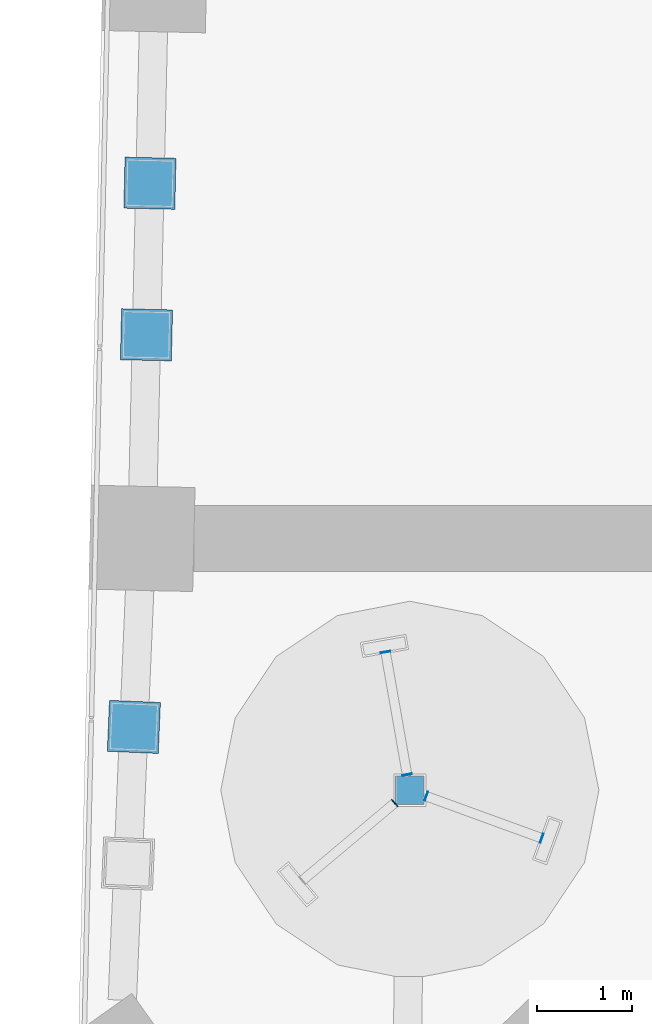
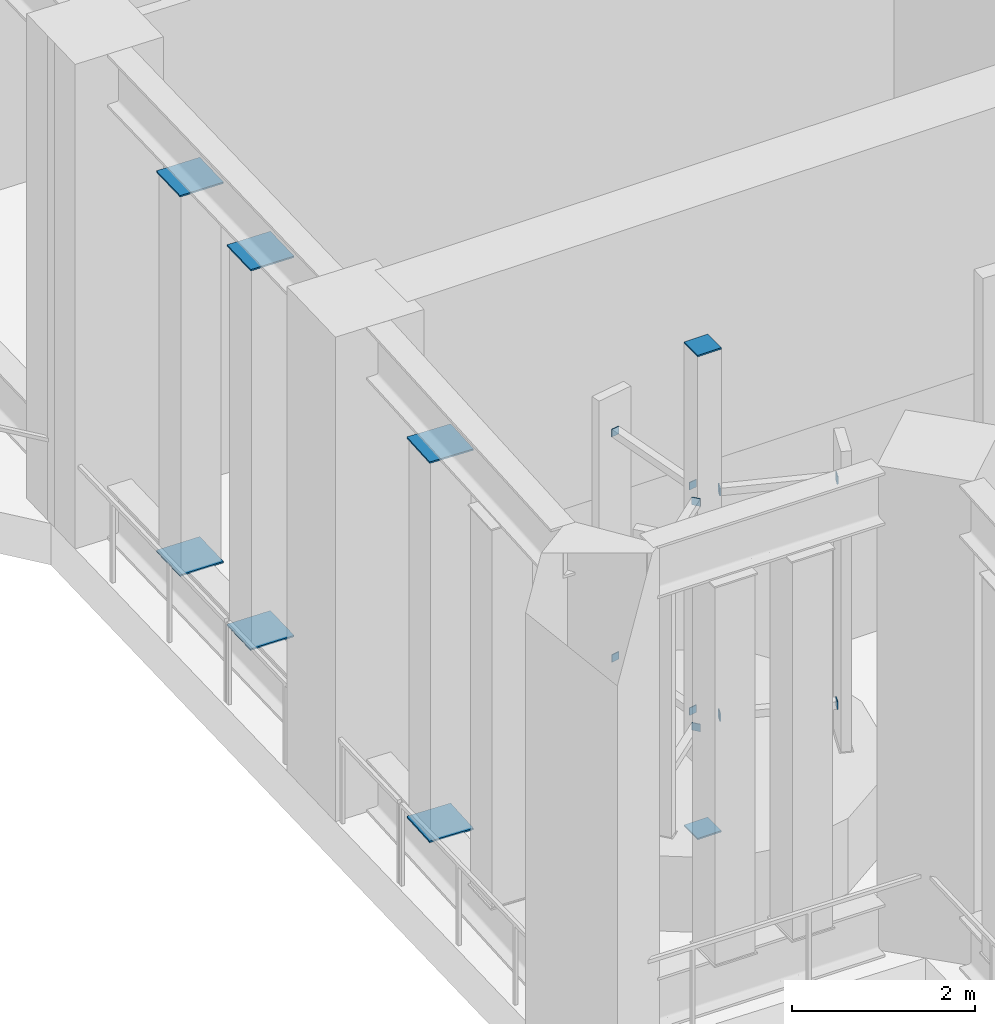
# One storey, part 13 of 33: 18 discrete accessories.
"""IFC4 building model written with IfcOpenShell, lengths in metres."""

from ifc_helpers import new_model, si_unit, direction, frame, origin, origin_2d, place, context, subcontext, project, spatial, rectangle, extrude, material, layer, layer_set, type_object, element, save


model = new_model("IFC4")

# Units and contexts
model_context = context("Model", 3, precision=1e-05, world=origin(), true_north=direction((0.0, 1.0)))
body_context = subcontext(model_context, "Body", "Model", "MODEL_VIEW")
ifc_project = project(units=[si_unit("LENGTHUNIT", "METRE"), si_unit("AREAUNIT", "SQUARE_METRE"), si_unit("VOLUMEUNIT", "CUBIC_METRE"), si_unit("PLANEANGLEUNIT", "RADIAN"), si_unit("MASSUNIT", "GRAM", prefix="KILO")], contexts=[model_context])

# Site, building, storey
site_placement = place(None, origin())
site = spatial("IfcSite", under=ifc_project, at=site_placement, CompositionType="ELEMENT")
building_placement = place(site_placement, origin())
building = spatial("IfcBuilding", under=site, at=building_placement, Name="Mangrove Gate Tower", CompositionType="ELEMENT")
storey_placement = place(building_placement, frame((0.0, 0.0, 219.5)))
storey = spatial("IfcBuildingStorey", under=building, at=storey_placement, Name="L56", CompositionType="ELEMENT", Elevation=219.5)

# Discrete accessories
ifc_material_1 = material(Name="Steel S355J2H", Category="steel")
ifc_layer_1 = layer(ifc_material_1, 0.010009765625)
ifc_layer_set_1 = layer_set([ifc_layer_1], Name="Arm end plate 100x100x10")
discrete_accessory_type_1 = type_object("IfcDiscreteAccessoryType", Name="Arm end plate 100x100x10", PredefinedType="ANCHORPLATE", material=ifc_layer_set_1)
for number, where, z_axis, x_axis, name in (
    (1, (-24.39892578125, -13.06005859375, 1.449951171875), (0.0, 0.0, 1.0), (-0.173648177667, 0.984807753012, 0.0), "END PLATE ARM L56 12.1.1 MAST"),
    (2, (-24.6279296875, -11.761962890625, 1.449951171875), (0.0, 0.0, 1.0), (-0.173648177667, 0.984807753012, 0.0), "END PLATE ARM L56 12.1.1 FIN"),
    (3, (-24.39892578125, -13.06005859375, 4.449951171875), (0.0, 0.0, 1.0), (-0.173648177667, 0.984807753012, 0.0), "END PLATE ARM L56 12.1.2 MAST"),
    (4, (-24.6279296875, -11.761962890625, 4.449951171875), (0.0, 0.0, 1.0), (-0.173648177667, 0.984807753012, 0.0), "END PLATE ARM L56 12.1.2 FIN"),
    (5, (-24.531005859375, -13.35888671875, 1.449951171875), (0.0, 0.0, 1.0), (-0.766044443119, -0.642787609687, 0.0), "END PLATE ARM L56 12.2.1 MAST"),
    (6, (-24.531005859375, -13.35888671875, 4.449951171875), (0.0, 0.0, 1.0), (-0.766044443119, -0.642787609687, 0.0), "END PLATE ARM L56 12.2.2 MAST"),
    (7, (-24.197021484375, -13.287109375, 1.449951171875), (0.0, 0.0, 1.0), (0.939692620786, -0.342020143326, 0.0), "END PLATE ARM L56 12.3.1 MAST"),
    (8, (-22.97509765625, -13.73193359375, 1.449951171875), (0.0, 0.0, 1.0), (0.939692620786, -0.342020143326, 0.0), "END PLATE ARM L56 12.3.1 FIN"),
    (9, (-24.197021484375, -13.287109375, 4.449951171875), (0.0, 0.0, 1.0), (0.939692620786, -0.342020143326, 0.0), "END PLATE ARM L56 12.3.2 MAST"),
    (10, (-22.97509765625, -13.73193359375, 4.449951171875), (0.0, 0.0, 1.0), (0.939692620786, -0.342020143326, 0.0), "END PLATE ARM L56 12.3.2 FIN"),
):
    element("IfcDiscreteAccessory", number, at=place(storey_placement, frame(where, z_axis=z_axis, x_axis=x_axis)), inside=storey, type_object=discrete_accessory_type_1, Name=name, PredefinedType="ANCHORPLATE", context=body_context, shape_type="SweptSolid", body=[
        extrude(rectangle(XDim=0.010009765625, YDim=0.10009765625, at=origin_2d()), origin(), (0.0, 0.0, 1.0), 0.10009765625),
    ])
ifc_material_2 = material(Name="Steel S355J2H", Category="steel")
ifc_layer_2 = layer(ifc_material_2, 0.02001953125)
ifc_layer_set_2 = layer_set([ifc_layer_2], Name="Belt truss end plate 540x540x20")
discrete_accessory_type_2 = type_object("IfcDiscreteAccessoryType", Name="Belt truss end plate 540x540x20", PredefinedType="ANCHORPLATE", material=ifc_layer_set_2)
for number, where, z_axis, x_axis, name in (
    (11, (-27.119873046875, -6.802734375, 0.68994140625), (0.0, 0.0, 1.0), (-0.022667633873, -0.999743056177, 0.0), "Belt truss end plate L56 00-1 bottom"),
    (12, (-27.119873046875, -6.802734375, 5.739990234375), (0.0, 0.0, 1.0), (-0.022667633873, -0.999743056177, 0.0), "Belt truss end plate L56 00-1 top"),
    (13, (-27.15625, -8.40625, 0.68994140625), (0.0, 0.0, 1.0), (-0.022667633873, -0.999743056177, 0.0), "Belt truss end plate L56 00-2 bottom"),
    (14, (-27.15625, -8.40625, 5.739990234375), (0.0, 0.0, 1.0), (-0.022667633873, -0.999743056177, 0.0), "Belt truss end plate L56 00-2 top"),
    (15, (-27.28955078125, -12.55419921875, 0.68994140625), (0.0, 0.0, 1.0), (-0.042301101829, -0.999104907797, 0.0), "Belt truss end plate L56 01-1 bottom"),
    (16, (-27.28955078125, -12.55419921875, 5.739990234375), (0.0, 0.0, 1.0), (-0.042301101829, -0.999104907797, 0.0), "Belt truss end plate L56 01-1 top"),
):
    element("IfcDiscreteAccessory", number, at=place(storey_placement, frame(where, z_axis=z_axis, x_axis=x_axis)), inside=storey, type_object=discrete_accessory_type_2, Name=name, PredefinedType="ANCHORPLATE", context=body_context, shape_type="SweptSolid", body=[
        extrude(rectangle(XDim=0.5400390625, YDim=0.5400390625, at=origin_2d()), origin(), (0.0, 0.0, 1.0), 0.02001953125),
    ])
ifc_material_3 = material(Name="Steel S355J2H", Category="steel")
ifc_layer_3 = layer(ifc_material_3, 0.02001953125)
ifc_layer_set_3 = layer_set([ifc_layer_3], Name="Mast end plate 300x300x20")
discrete_accessory_type_3 = type_object("IfcDiscreteAccessoryType", Name="Mast end plate 300x300x20", PredefinedType="ANCHORPLATE", material=ifc_layer_set_3)
for number, where, z_axis, x_axis, name in (
    (17, (-24.3701171875, -13.22412109375, 0.0), (0.0, 0.0, 1.0), (1.0, 0.0, 0.0), "END PLATE MAST L56 12 FOOT"),
    (18, (-24.3701171875, -13.22412109375, 6.429931640625), (0.0, 0.0, 1.0), (1.0, 0.0, 0.0), "END PLATE MAST L56 12 HEAD"),
):
    element("IfcDiscreteAccessory", number, at=place(storey_placement, frame(where, z_axis=z_axis, x_axis=x_axis)), inside=storey, type_object=discrete_accessory_type_3, Name=name, PredefinedType="ANCHORPLATE", context=body_context, shape_type="SweptSolid", body=[
        extrude(rectangle(XDim=0.300048828125, YDim=0.300048828125, at=origin_2d()), origin(), (0.0, 0.0, 1.0), 0.02001953125),
    ])

save(model, "model.ifc")
